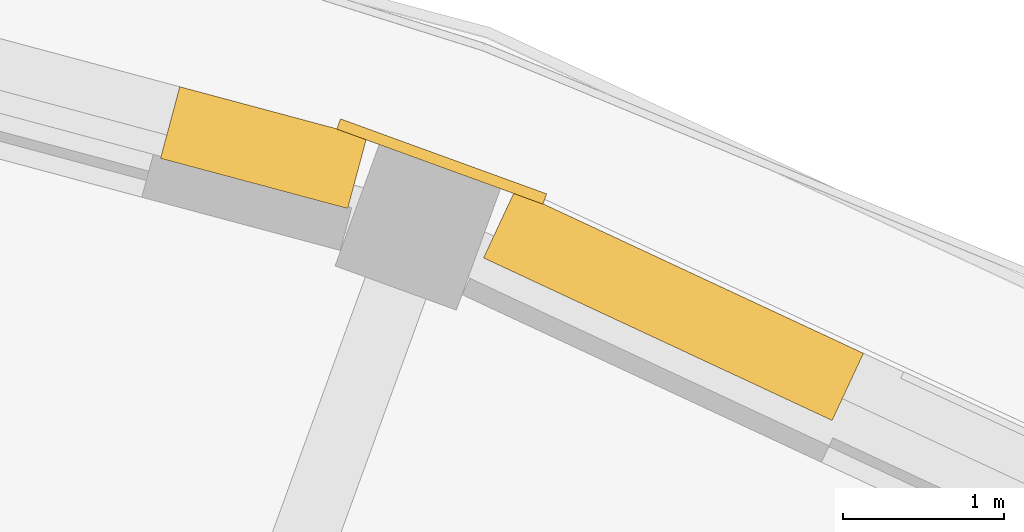
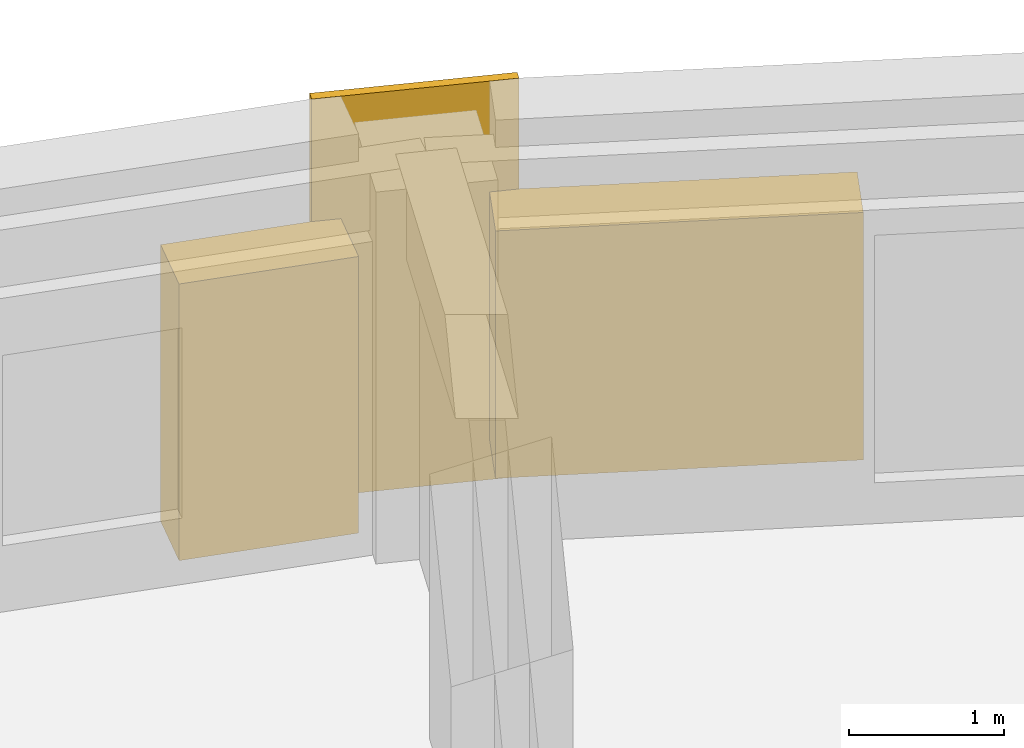
# One storey, part 76 of 76: 3 coverings.
"""IFC4 building model written with IfcOpenShell, lengths in metres."""

from ifc_helpers import new_model, si_unit, direction, frame, origin, place, context, subcontext, project, spatial, polyline, outline, extrude, material, layer, layer_set, type_object, element, save


model = new_model("IFC4")

# Units and contexts
model_context = context("Model", 3, precision=1e-05, world=origin(), true_north=direction((0.0, 1.0)))
body_context = subcontext(model_context, "Body", "Model", "MODEL_VIEW")
ifc_project = project(units=[si_unit("LENGTHUNIT", "METRE"), si_unit("AREAUNIT", "SQUARE_METRE"), si_unit("VOLUMEUNIT", "CUBIC_METRE"), si_unit("PLANEANGLEUNIT", "RADIAN"), si_unit("MASSUNIT", "GRAM", prefix="KILO")], contexts=[model_context])

# Site, building, storey
site_placement = place(None, origin())
site = spatial("IfcSite", under=ifc_project, at=site_placement, CompositionType="ELEMENT")
building_placement = place(site_placement, origin())
building = spatial("IfcBuilding", under=site, at=building_placement, Name="Kiranvali Square Residences", CompositionType="ELEMENT")
storey_placement = place(building_placement, frame((0.0, 0.0, 8.699951171875)))
storey = spatial("IfcBuildingStorey", under=building, at=storey_placement, Name="L02", CompositionType="ELEMENT", Elevation=8.699951171875)

# Coverings
ifc_material = material(Name="Honed Porbandar limestone ashlar facade cladding", Category="masonry")
ifc_layer_1 = layer(ifc_material, 0.3798828125)
ifc_layer_set_1 = layer_set([ifc_layer_1], Name="Honed Porbandar limestone ashlar facade cladding")
covering_type_1 = type_object("IfcCoveringType", Name="COV-CLAD-JAMB", PredefinedType="CLADDING", material=ifc_layer_set_1)
covering_1_placement = place(storey_placement, origin())
element("IfcCovering", 1, at=covering_1_placement, inside=storey, type_object=covering_type_1, Name="L02 deep limestone window jamb reveal B-L02-CRV-01.R", PredefinedType="CLADDING", context=body_context, shape_type="SweptSolid", body=[
    extrude(outline(polyline([(133.9384765625, 131.45361328125), (135.098388671875, 131.142822265625), (135.21728515625, 131.586669921875), (134.057373046875, 131.8974609375), (133.9384765625, 131.45361328125)])), origin(), (0.0, 0.0, 1.0), 2.179931640625),
])
covering_2_placement = place(storey_placement, frame((0.0, 0.0, 0.322021484375)))
element("IfcCovering", 2, at=covering_2_placement, inside=storey, type_object=covering_type_1, Name="L02 deep limestone window jamb reveal B-L02-CRV-02.L", PredefinedType="CLADDING", context=body_context, shape_type="SweptSolid", body=[
    extrude(outline(polyline([(135.94091796875, 130.836181640625), (138.101806640625, 129.82861328125), (138.2958984375, 130.244873046875), (136.13525390625, 131.252685546875), (135.94091796875, 130.836181640625)])), origin(), (0.0, 0.0, 1.0), 1.949951171875),
])
ifc_layer_2 = layer(ifc_material, 0.06494140625)
ifc_layer_set_2 = layer_set([ifc_layer_2], Name="Honed Porbandar limestone ashlar facade cladding")
covering_type_2 = type_object("IfcCoveringType", Name="COV-CLAD-PIER", PredefinedType="CLADDING", material=ifc_layer_set_2)
covering_3_placement = place(storey_placement, frame((0.0, 0.0, 0.005126953125)))
element("IfcCovering", 3, at=covering_3_placement, inside=storey, type_object=covering_type_2, Name="L02 Classical limestone corner pilaster CLAD-PR-B-L02-A02", PredefinedType="CLADDING", context=body_context, shape_type="SweptSolid", body=[
    extrude(outline(polyline([(136.33203125, 131.233154296875), (135.053955078125, 131.6982421875), (135.031005859375, 131.634765625), (136.308837890625, 131.169677734375), (136.33203125, 131.233154296875)])), origin(), (0.0, 0.0, 1.0), 3.139892578125),
])

save(model, "model.ifc")
